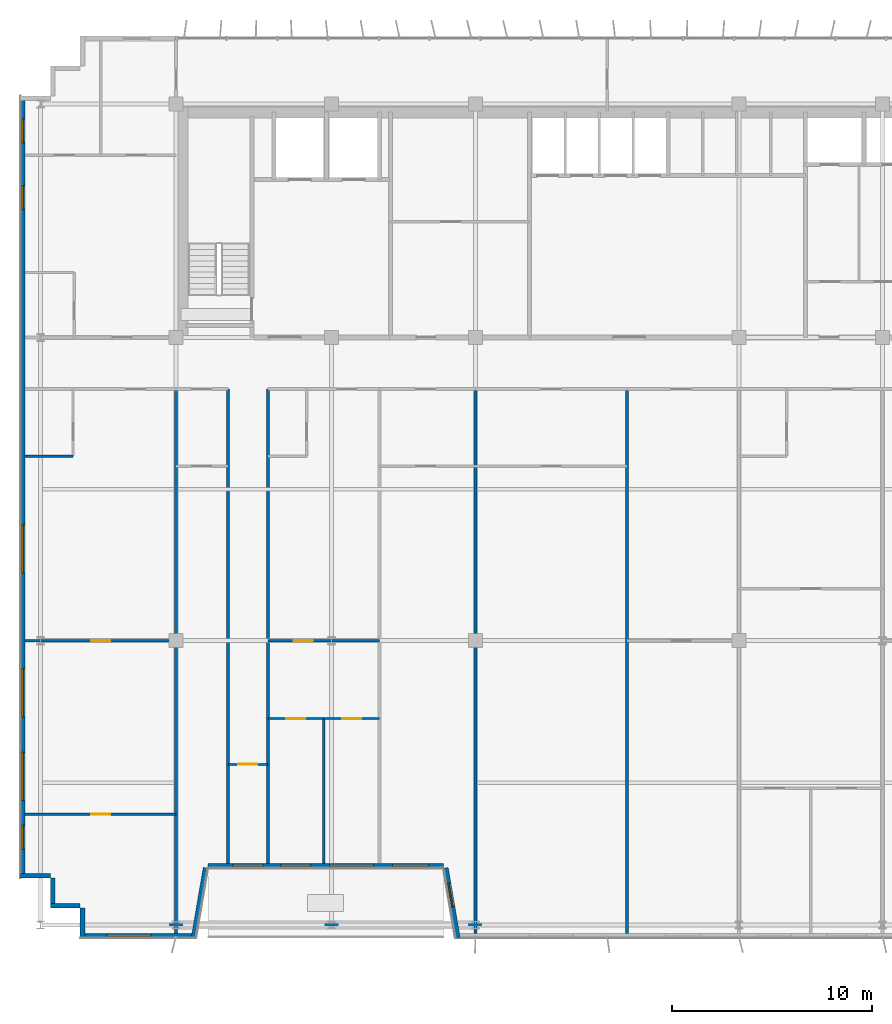
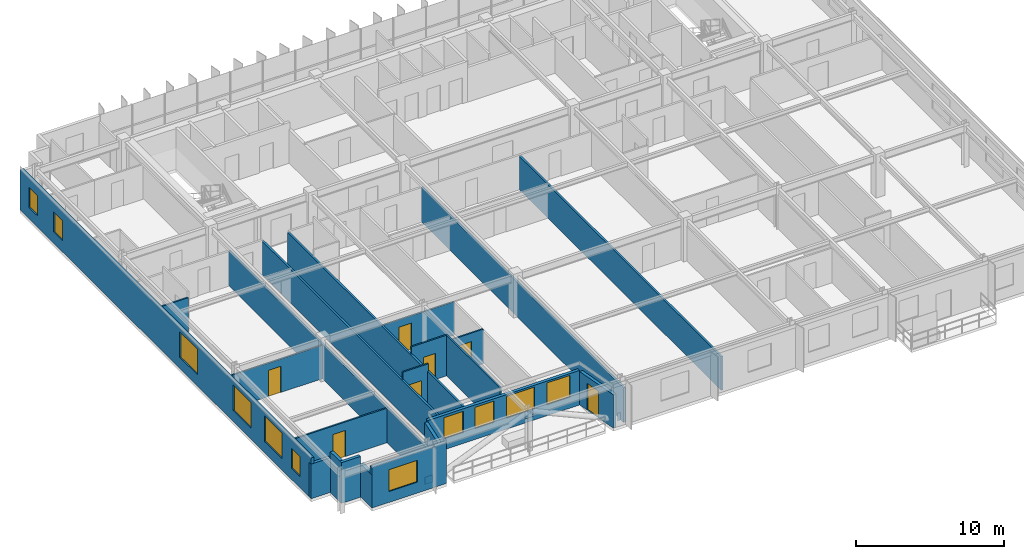
# One storey, part 14 of 20: 22 walls, 11 windows, 7 doors, 3 plates, 18 openings.
"""IFC4 building model written with IfcOpenShell, lengths in metres."""

from ifc_helpers import new_model, si_unit, direction, frame, frame_2d, origin, origin_2d, place, context, subcontext, project, spatial, rectangle, extrude, source, transform, mapped, material, layer, layer_set, type_object, element, fill, save


model = new_model("IFC4")

# Units and contexts
model_context = context("Model", 3, precision=1e-05, world=origin(), true_north=direction((0.0, 1.0)))
body_context = subcontext(model_context, "Body", "Model", "MODEL_VIEW")
ifc_project = project(units=[si_unit("LENGTHUNIT", "METRE"), si_unit("AREAUNIT", "SQUARE_METRE"), si_unit("VOLUMEUNIT", "CUBIC_METRE"), si_unit("PLANEANGLEUNIT", "RADIAN"), si_unit("MASSUNIT", "GRAM", prefix="KILO")], contexts=[model_context])

# Site, building, storey
site_placement = place(None, origin())
site = spatial("IfcSite", under=ifc_project, at=site_placement, CompositionType="ELEMENT")
building_placement = place(site_placement, origin())
building = spatial("IfcBuilding", under=site, at=building_placement, Name="Trelvane Seafront Commons", CompositionType="ELEMENT")
storey_placement = place(building_placement, frame((0.0, 0.0, 171.699951171875)))
storey = spatial("IfcBuildingStorey", under=building, at=storey_placement, Name="L45", CompositionType="ELEMENT", Elevation=171.699951171875)

# Plates
ifc_material_1 = material(Name="Steel SM355 (S355)", Category="steel")
ifc_layer_1 = layer(ifc_material_1, 0.031982421875, Name="STR-PLT-GUS2")
ifc_layer_set_1 = layer_set([ifc_layer_1], Name="Steel SM355 (S355)")
plate_type = type_object("IfcPlateType", Name="STR-PLT-GUS2", PredefinedType="SHEET", material=ifc_layer_set_1)
shared_shape_1 = source(origin(), body_context, "Body", "SweptSolid", [
    extrude(rectangle(XDim=0.60009765625, YDim=0.031982421875, at=origin_2d()), origin(), (0.0, 0.0, 1.0), 0.60009765625),
])
for number, where, z_axis, x_axis, name in (
    (1, (15.60009765625, 3.949951171875, -0.02001953125), (0.0, 0.0, 1.0), (1.0, 0.0, 0.0), "L45 Brace Connection Gusset Plate GP-180"),
    (2, (23.39990234375, 3.949951171875, 2.64990234375), (0.0, 0.0, 1.0), (1.0, 0.0, 0.0), "L45 Brace Connection Gusset Plate GP-181"),
    (3, (30.60009765625, 3.949951171875, -0.02001953125), (0.0, 0.0, 1.0), (1.0, 0.0, 0.0), "L45 Brace Connection Gusset Plate GP-182"),
):
    element("IfcPlate", number, at=place(storey_placement, frame(where, z_axis=z_axis, x_axis=x_axis)), inside=storey, type_object=plate_type, Name=name, PredefinedType="SHEET", context=body_context, shape_type="MappedRepresentation", body=[
        mapped(shared_shape_1, transform((0.0, 0.0, 0.0), x_axis=(1.0, 0.0, 0.0), y_axis=(0.0, 1.0, 0.0), z_axis=(0.0, 0.0, 1.0), scale=1.0)),
    ])

# Walls
ifc_material_2 = material(Name="Precast concrete C40/50", Category="concrete")
ifc_layer_2 = layer(ifc_material_2, 0.239990234375, Name="ARCH-WALL-EXT240")
ifc_layer_set_2 = layer_set([ifc_layer_2], Name="Precast concrete C40/50")
wall_type_1 = type_object("IfcWallType", Name="ARCH-WALL-EXT240", PredefinedType="SOLIDWALL", material=ifc_layer_set_2)
for number, where, z_axis, x_axis, name in (
    (4, (10.800048828125, 4.919921875, 0.0), (0.0, 0.0, 1.0), (-1.0, 0.0, 0.0), "EW-L45-00886"),
    (5, (9.419921875, 4.800048828125, 0.0), (0.0, 0.0, 1.0), (0.0, 1.0, 0.0), "EW-L45-00887"),
):
    element("IfcWall", number, at=place(storey_placement, frame(where, z_axis=z_axis, x_axis=x_axis)), inside=storey, type_object=wall_type_1, Name=name, PredefinedType="SOLIDWALL", context=body_context, shape_type="SweptSolid", body=[
        extrude(rectangle(XDim=1.5, YDim=0.239990234375, at=frame_2d((0.75, 0.0))), origin(), (0.0, 0.0, 1.0), 3.35009765625),
    ])
wall_1_placement = place(storey_placement, frame((9.300048828125, 6.419921875, 0.0), z_axis=(0.0, 0.0, 1.0), x_axis=(-1.0, 0.0, 0.0)))
element("IfcWall", 6, at=wall_1_placement, inside=storey, type_object=wall_type_1, Name="EW-L45-00888", PredefinedType="SOLIDWALL", context=body_context, shape_type="SweptSolid", body=[
    extrude(rectangle(XDim=1.5, YDim=0.239990234375, at=frame_2d((0.75, 0.0))), origin(), (0.0, 0.0, 1.0), 2.85009765625),
])

# Wall, openings, windows
wall_2_placement = place(storey_placement, frame((7.919921875, 6.300048828125, 0.0), z_axis=(0.0, 0.0, 1.0), x_axis=(0.0, 1.0, 0.0)))
wall_2 = element("IfcWall", 7, at=wall_2_placement, inside=storey, type_object=wall_type_1, Name="EW-L45-00889", PredefinedType="SOLIDWALL", context=body_context, shape_type="SweptSolid", body=[
    extrude(rectangle(XDim=39.199951171875, YDim=0.239990234375, at=frame_2d((19.60009765625, 0.0))), origin(), (0.0, 0.0, 1.0), 3.35009765625),
])
opening_1_placement = place(wall_2_placement, frame((1.449951171875, 0.0, 0.919921875)))
opening_1 = element("IfcOpeningElement", 8, at=opening_1_placement, cuts=wall_2, Name="Opening W05", PredefinedType="OPENING", context=body_context, shape_type="SweptSolid", body=[
    extrude(rectangle(XDim=1.199951171875, YDim=1.64990234375, at=frame_2d((0.60009765625, 0.824951171875))), frame((0.0, 0.1298828125, 0.0), z_axis=(0.0, -1.0, 0.0), x_axis=(1.0, 0.0, 0.0)), (0.0, 0.0, 1.0), 0.260009765625),
])
opening_2_placement = place(wall_2_placement, frame((3.89990234375, 0.0, 0.919921875)))
opening_2 = element("IfcOpeningElement", 9, at=opening_2_placement, cuts=wall_2, Name="Opening W08", PredefinedType="OPENING", context=body_context, shape_type="SweptSolid", body=[
    extrude(rectangle(XDim=2.39990234375, YDim=2.10009765625, at=frame_2d((1.199951171875, 1.050048828125))), frame((0.0, 0.1298828125, 0.0), z_axis=(0.0, -1.0, 0.0), x_axis=(1.0, 0.0, 0.0)), (0.0, 0.0, 1.0), 0.260009765625),
])
opening_3_placement = place(wall_2_placement, frame((8.10009765625, 0.0, 0.919921875)))
opening_3 = element("IfcOpeningElement", 10, at=opening_3_placement, cuts=wall_2, Name="Opening W08", PredefinedType="OPENING", context=body_context, shape_type="SweptSolid", body=[
    extrude(rectangle(XDim=2.39990234375, YDim=2.10009765625, at=frame_2d((1.199951171875, 1.050048828125))), frame((0.0, 0.1298828125, 0.0), z_axis=(0.0, -1.0, 0.0), x_axis=(1.0, 0.0, 0.0)), (0.0, 0.0, 1.0), 0.260009765625),
])
opening_4_placement = place(wall_2_placement, frame((15.300048828125, 0.0, 0.919921875)))
opening_4 = element("IfcOpeningElement", 11, at=opening_4_placement, cuts=wall_2, Name="Opening W08", PredefinedType="OPENING", context=body_context, shape_type="SweptSolid", body=[
    extrude(rectangle(XDim=2.39990234375, YDim=2.10009765625, at=frame_2d((1.199951171875, 1.050048828125))), frame((0.0, 0.1298828125, 0.0), z_axis=(0.0, -1.0, 0.0), x_axis=(1.0, 0.0, 0.0)), (0.0, 0.0, 1.0), 0.260009765625),
])
opening_5_placement = place(wall_2_placement, frame((33.5, 0.0, 0.919921875)))
opening_5 = element("IfcOpeningElement", 12, at=opening_5_placement, cuts=wall_2, Name="Opening W05", PredefinedType="OPENING", context=body_context, shape_type="SweptSolid", body=[
    extrude(rectangle(XDim=1.199951171875, YDim=1.64990234375, at=frame_2d((0.60009765625, 0.824951171875))), frame((0.0, 0.1298828125, 0.0), z_axis=(0.0, -1.0, 0.0), x_axis=(1.0, 0.0, 0.0)), (0.0, 0.0, 1.0), 0.260009765625),
])
opening_6_placement = place(wall_2_placement, frame((36.85009765625, 0.0, 0.919921875)))
opening_6 = element("IfcOpeningElement", 13, at=opening_6_placement, cuts=wall_2, Name="Opening W05", PredefinedType="OPENING", context=body_context, shape_type="SweptSolid", body=[
    extrude(rectangle(XDim=1.199951171875, YDim=1.64990234375, at=frame_2d((0.60009765625, 0.824951171875))), frame((0.0, 0.1298828125, 0.0), z_axis=(0.0, -1.0, 0.0), x_axis=(1.0, 0.0, 0.0)), (0.0, 0.0, 1.0), 0.260009765625),
])
ifc_material_3 = material(Name="Low-E coastal double glazing", Category="glass")
window_type_1 = type_object("IfcWindowType", Name="ARCH-WIN-W08", PartitioningType="SINGLE_PANEL", PredefinedType="WINDOW", material=ifc_material_3)
shared_shape_2 = source(origin(), body_context, "Body", "SweptSolid", [
    extrude(rectangle(XDim=2.39990234375, YDim=2.10009765625, at=frame_2d((1.199951171875, 1.050048828125))), frame((0.0, 0.030029296875, 0.0), z_axis=(0.0, -1.0, 0.0), x_axis=(1.0, 0.0, 0.0)), (0.0, 0.0, 1.0), 0.06005859375),
])
window_1_placement = place(opening_2_placement, origin())
window_1 = element("IfcWindow", 14, at=window_1_placement, inside=storey, type_object=window_type_1, Name="WIN-L45-EW-01067", OverallHeight=2.10009765625, OverallWidth=2.39990234375, PartitioningType="SINGLE_PANEL", PredefinedType="WINDOW", context=body_context, shape_type="MappedRepresentation", body=[
    mapped(shared_shape_2, transform((0.0, 0.0, 0.0), x_axis=(1.0, 0.0, 0.0), y_axis=(0.0, 1.0, 0.0), z_axis=(0.0, 0.0, 1.0), scale=1.0)),
])
fill(opening_2, window_1)
window_2_placement = place(opening_3_placement, origin())
window_2 = element("IfcWindow", 15, at=window_2_placement, inside=storey, type_object=window_type_1, Name="WIN-L45-EW-01068", OverallHeight=2.10009765625, OverallWidth=2.39990234375, PartitioningType="SINGLE_PANEL", PredefinedType="WINDOW", context=body_context, shape_type="MappedRepresentation", body=[
    mapped(shared_shape_2, transform((0.0, 0.0, 0.0), x_axis=(1.0, 0.0, 0.0), y_axis=(0.0, 1.0, 0.0), z_axis=(0.0, 0.0, 1.0), scale=1.0)),
])
fill(opening_3, window_2)
window_3_placement = place(opening_4_placement, origin())
window_3 = element("IfcWindow", 16, at=window_3_placement, inside=storey, type_object=window_type_1, Name="WIN-L45-EW-01069", OverallHeight=2.10009765625, OverallWidth=2.39990234375, PartitioningType="SINGLE_PANEL", PredefinedType="WINDOW", context=body_context, shape_type="MappedRepresentation", body=[
    mapped(shared_shape_2, transform((0.0, 0.0, 0.0), x_axis=(1.0, 0.0, 0.0), y_axis=(0.0, 1.0, 0.0), z_axis=(0.0, 0.0, 1.0), scale=1.0)),
])
fill(opening_4, window_3)
window_type_2 = type_object("IfcWindowType", Name="ARCH-WIN-W05", PartitioningType="SINGLE_PANEL", PredefinedType="WINDOW", material=ifc_material_3)
shared_shape_3 = source(origin(), body_context, "Body", "SweptSolid", [
    extrude(rectangle(XDim=1.199951171875, YDim=1.64990234375, at=frame_2d((0.60009765625, 0.824951171875))), frame((0.0, 0.030029296875, 0.0), z_axis=(0.0, -1.0, 0.0), x_axis=(1.0, 0.0, 0.0)), (0.0, 0.0, 1.0), 0.06005859375),
])
window_4_placement = place(opening_1_placement, origin())
window_4 = element("IfcWindow", 17, at=window_4_placement, inside=storey, type_object=window_type_2, Name="WIN-L45-EW-01066", OverallHeight=1.64990234375, OverallWidth=1.199951171875, PartitioningType="SINGLE_PANEL", PredefinedType="WINDOW", context=body_context, shape_type="MappedRepresentation", body=[
    mapped(shared_shape_3, transform((0.0, 0.0, 0.0), x_axis=(1.0, 0.0, 0.0), y_axis=(0.0, 1.0, 0.0), z_axis=(0.0, 0.0, 1.0), scale=1.0)),
])
fill(opening_1, window_4)
window_5_placement = place(opening_5_placement, origin())
window_5 = element("IfcWindow", 18, at=window_5_placement, inside=storey, type_object=window_type_2, Name="WIN-L45-EW-01070", OverallHeight=1.64990234375, OverallWidth=1.199951171875, PartitioningType="SINGLE_PANEL", PredefinedType="WINDOW", context=body_context, shape_type="MappedRepresentation", body=[
    mapped(shared_shape_3, transform((0.0, 0.0, 0.0), x_axis=(1.0, 0.0, 0.0), y_axis=(0.0, 1.0, 0.0), z_axis=(0.0, 0.0, 1.0), scale=1.0)),
])
fill(opening_5, window_5)
window_6_placement = place(opening_6_placement, origin())
window_6 = element("IfcWindow", 19, at=window_6_placement, inside=storey, type_object=window_type_2, Name="WIN-L45-EW-01071", OverallHeight=1.64990234375, OverallWidth=1.199951171875, PartitioningType="SINGLE_PANEL", PredefinedType="WINDOW", context=body_context, shape_type="MappedRepresentation", body=[
    mapped(shared_shape_3, transform((0.0, 0.0, 0.0), x_axis=(1.0, 0.0, 0.0), y_axis=(0.0, 1.0, 0.0), z_axis=(0.0, 0.0, 1.0), scale=1.0)),
])
fill(opening_6, window_6)

# Wall, opening, door
wall_3_placement = place(storey_placement, frame((29.71826171875, 3.3203125, 0.0), z_axis=(0.0, 0.0, 1.0), x_axis=(-0.168923741424, 0.98562912375, 0.0)))
wall_3 = element("IfcWall", 20, at=wall_3_placement, inside=storey, type_object=wall_type_1, Name="EW-L45-00904", PredefinedType="SOLIDWALL", context=body_context, shape_type="SweptSolid", body=[
    extrude(rectangle(XDim=3.551025390625, YDim=0.239990234375, at=frame_2d((1.775390625, 0.0))), origin(), (0.0, 0.0, 1.0), 2.75),
])
opening_7_placement = place(wall_3_placement, frame((1.572998046875, 0.0, 0.0)))
opening_7 = element("IfcOpeningElement", 21, at=opening_7_placement, cuts=wall_3, Name="Opening TD-L45-104", PredefinedType="OPENING", context=body_context, shape_type="SweptSolid", body=[
    extrude(rectangle(XDim=1.199951171875, YDim=2.199951171875, at=frame_2d((0.60009765625, 1.10009765625))), frame((0.0, 0.1298828125, 0.0), z_axis=(0.0, -1.0, 0.0), x_axis=(1.0, 0.0, 0.0)), (0.0, 0.0, 1.0), 0.260009765625),
])
ifc_material_4 = material(Name="Powder-coated aluminium frame", Category="aluminium")
door_type_1 = type_object("IfcDoorType", Name="ARCH-DR-BAL1200", OperationType="NOTDEFINED", PredefinedType="DOOR", material=ifc_material_4)
shared_shape_4 = source(origin(), body_context, "Body", "SweptSolid", [
    extrude(rectangle(XDim=1.199951171875, YDim=2.199951171875, at=frame_2d((0.60009765625, 1.10009765625))), frame((0.0, 0.02490234375, 0.0), z_axis=(0.0, -1.0, 0.0), x_axis=(1.0, 0.0, 0.0)), (0.0, 0.0, 1.0), 0.050048828125),
])
door_1_placement = place(opening_7_placement, origin())
door_1 = element("IfcDoor", 22, at=door_1_placement, inside=storey, type_object=door_type_1, Name="L45 Setback Terrace Access Door", OperationType="SINGLE_SWING_RIGHT", OverallHeight=2.199951171875, OverallWidth=1.199951171875, PredefinedType="DOOR", context=body_context, shape_type="MappedRepresentation", body=[
    mapped(shared_shape_4, transform((0.0, 0.0, 0.0), x_axis=(1.0, 0.0, 0.0), y_axis=(0.0, 1.0, 0.0), z_axis=(0.0, 0.0, 1.0), scale=1.0)),
])
fill(opening_7, door_1)

# Wall, openings, windows
wall_4_placement = place(storey_placement, frame((29.0, 6.919921875, 0.0), z_axis=(0.0, 0.0, 1.0), x_axis=(-1.0, 0.0, 0.0)))
wall_4 = element("IfcWall", 23, at=wall_4_placement, inside=storey, type_object=wall_type_1, Name="EW-L45-00905", PredefinedType="SOLIDWALL", context=body_context, shape_type="SweptSolid", body=[
    extrude(rectangle(XDim=11.800048828125, YDim=0.239990234375, at=frame_2d((5.89990234375, 0.0))), origin(), (0.0, 0.0, 1.0), 2.85009765625),
])
opening_8_placement = place(wall_4_placement, frame((0.7451171875, 0.0, 0.89990234375)))
opening_8 = element("IfcOpeningElement", 24, at=opening_8_placement, cuts=wall_4, Name="Opening W01", PredefinedType="OPENING", context=body_context, shape_type="SweptSolid", body=[
    extrude(rectangle(XDim=1.800048828125, YDim=1.800048828125, at=frame_2d((0.89990234375, 0.89990234375))), frame((0.0, 0.1298828125, 0.0), z_axis=(0.0, -1.0, 0.0), x_axis=(1.0, 0.0, 0.0)), (0.0, 0.0, 1.0), 0.260009765625),
])
opening_9_placement = place(wall_4_placement, frame((3.5, 0.0, 0.89990234375)))
opening_9 = element("IfcOpeningElement", 25, at=opening_9_placement, cuts=wall_4, Name="Opening W02", PredefinedType="OPENING", context=body_context, shape_type="SweptSolid", body=[
    extrude(rectangle(XDim=2.199951171875, YDim=1.800048828125, at=frame_2d((1.10009765625, 0.89990234375))), frame((0.0, 0.1298828125, 0.0), z_axis=(0.0, -1.0, 0.0), x_axis=(1.0, 0.0, 0.0)), (0.0, 0.0, 1.0), 0.260009765625),
])
opening_10_placement = place(wall_4_placement, frame((6.64990234375, 0.0, 0.89990234375)))
opening_10 = element("IfcOpeningElement", 26, at=opening_10_placement, cuts=wall_4, Name="Opening W03", PredefinedType="OPENING", context=body_context, shape_type="SweptSolid", body=[
    extrude(rectangle(XDim=1.5, YDim=1.75, at=frame_2d((0.75, 0.875))), frame((0.0, 0.1298828125, 0.0), z_axis=(0.0, -1.0, 0.0), x_axis=(1.0, 0.0, 0.0)), (0.0, 0.0, 1.0), 0.260009765625),
])
opening_11_placement = place(wall_4_placement, frame((9.050048828125, 0.0, 0.89990234375)))
opening_11 = element("IfcOpeningElement", 27, at=opening_11_placement, cuts=wall_4, Name="Opening W03", PredefinedType="OPENING", context=body_context, shape_type="SweptSolid", body=[
    extrude(rectangle(XDim=1.5, YDim=1.75, at=frame_2d((0.75, 0.875))), frame((0.0, 0.1298828125, 0.0), z_axis=(0.0, -1.0, 0.0), x_axis=(1.0, 0.0, 0.0)), (0.0, 0.0, 1.0), 0.260009765625),
])
window_type_3 = type_object("IfcWindowType", Name="ARCH-WIN-W02", PartitioningType="SINGLE_PANEL", PredefinedType="WINDOW", material=ifc_material_3)
shared_shape_5 = source(origin(), body_context, "Body", "SweptSolid", [
    extrude(rectangle(XDim=2.199951171875, YDim=1.800048828125, at=frame_2d((1.10009765625, 0.89990234375))), frame((0.0, 0.030029296875, 0.0), z_axis=(0.0, -1.0, 0.0), x_axis=(1.0, 0.0, 0.0)), (0.0, 0.0, 1.0), 0.06005859375),
])
window_7_placement = place(opening_9_placement, origin())
window_7 = element("IfcWindow", 28, at=window_7_placement, inside=storey, type_object=window_type_3, Name="WIN-L45-01086", OverallHeight=1.800048828125, OverallWidth=2.199951171875, PartitioningType="SINGLE_PANEL", PredefinedType="WINDOW", context=body_context, shape_type="MappedRepresentation", body=[
    mapped(shared_shape_5, transform((0.0, 0.0, 0.0), x_axis=(1.0, 0.0, 0.0), y_axis=(0.0, 1.0, 0.0), z_axis=(0.0, 0.0, 1.0), scale=1.0)),
])
fill(opening_9, window_7)
window_type_4 = type_object("IfcWindowType", Name="ARCH-WIN-W03", PartitioningType="SINGLE_PANEL", PredefinedType="WINDOW", material=ifc_material_3)
shared_shape_6 = source(origin(), body_context, "Body", "SweptSolid", [
    extrude(rectangle(XDim=1.5, YDim=1.75, at=frame_2d((0.75, 0.875))), frame((0.0, 0.030029296875, 0.0), z_axis=(0.0, -1.0, 0.0), x_axis=(1.0, 0.0, 0.0)), (0.0, 0.0, 1.0), 0.06005859375),
])
window_8_placement = place(opening_10_placement, origin())
window_8 = element("IfcWindow", 29, at=window_8_placement, inside=storey, type_object=window_type_4, Name="WIN-L45-01087", OverallHeight=1.75, OverallWidth=1.5, PartitioningType="SINGLE_PANEL", PredefinedType="WINDOW", context=body_context, shape_type="MappedRepresentation", body=[
    mapped(shared_shape_6, transform((0.0, 0.0, 0.0), x_axis=(1.0, 0.0, 0.0), y_axis=(0.0, 1.0, 0.0), z_axis=(0.0, 0.0, 1.0), scale=1.0)),
])
fill(opening_10, window_8)
window_9_placement = place(opening_11_placement, origin())
window_9 = element("IfcWindow", 30, at=window_9_placement, inside=storey, type_object=window_type_4, Name="WIN-L45-01088", OverallHeight=1.75, OverallWidth=1.5, PartitioningType="SINGLE_PANEL", PredefinedType="WINDOW", context=body_context, shape_type="MappedRepresentation", body=[
    mapped(shared_shape_6, transform((0.0, 0.0, 0.0), x_axis=(1.0, 0.0, 0.0), y_axis=(0.0, 1.0, 0.0), z_axis=(0.0, 0.0, 1.0), scale=1.0)),
])
fill(opening_11, window_9)
window_type_5 = type_object("IfcWindowType", Name="ARCH-WIN-W01", PartitioningType="SINGLE_PANEL", PredefinedType="WINDOW", material=ifc_material_3)
shared_shape_7 = source(origin(), body_context, "Body", "SweptSolid", [
    extrude(rectangle(XDim=1.800048828125, YDim=1.800048828125, at=frame_2d((0.89990234375, 0.89990234375))), frame((0.0, 0.030029296875, 0.0), z_axis=(0.0, -1.0, 0.0), x_axis=(1.0, 0.0, 0.0)), (0.0, 0.0, 1.0), 0.06005859375),
])
window_10_placement = place(opening_8_placement, origin())
window_10 = element("IfcWindow", 31, at=window_10_placement, inside=storey, type_object=window_type_5, Name="WIN-L45-01085", OverallHeight=1.800048828125, OverallWidth=1.800048828125, PartitioningType="SINGLE_PANEL", PredefinedType="WINDOW", context=body_context, shape_type="MappedRepresentation", body=[
    mapped(shared_shape_7, transform((0.0, 0.0, 0.0), x_axis=(1.0, 0.0, 0.0), y_axis=(0.0, 1.0, 0.0), z_axis=(0.0, 0.0, 1.0), scale=1.0)),
])
fill(opening_8, window_10)

# Wall
wall_5_placement = place(storey_placement, frame((17.081787109375, 6.8203125, 0.0), z_axis=(0.0, 0.0, 1.0), x_axis=(-0.168990530437, -0.98561767467, 0.0)))
element("IfcWall", 32, at=wall_5_placement, inside=storey, type_object=wall_type_1, Name="EW-L45-00906", PredefinedType="SOLIDWALL", context=body_context, shape_type="SweptSolid", body=[
    extrude(rectangle(XDim=3.551025390625, YDim=0.239990234375, at=frame_2d((1.775390625, 0.0))), origin(), (0.0, 0.0, 1.0), 2.75),
])

# Wall, opening, window
wall_6_placement = place(storey_placement, frame((16.60009765625, 3.419921875, 0.0), z_axis=(0.0, 0.0, 1.0), x_axis=(-1.0, 0.0, 0.0)))
wall_6 = element("IfcWall", 33, at=wall_6_placement, inside=storey, type_object=wall_type_1, Name="EW-L45-00907", PredefinedType="SOLIDWALL", context=body_context, shape_type="SweptSolid", body=[
    extrude(rectangle(XDim=5.800048828125, YDim=0.239990234375, at=frame_2d((2.89990234375, 0.0))), origin(), (0.0, 0.0, 1.0), 3.35009765625),
])
opening_12_placement = place(wall_6_placement, frame((2.2548828125, 0.0, 0.89990234375)))
opening_12 = element("IfcOpeningElement", 34, at=opening_12_placement, cuts=wall_6, Name="Opening W02", PredefinedType="OPENING", context=body_context, shape_type="SweptSolid", body=[
    extrude(rectangle(XDim=2.199951171875, YDim=1.800048828125, at=frame_2d((1.10009765625, 0.89990234375))), frame((0.0, 0.1298828125, 0.0), z_axis=(0.0, -1.0, 0.0), x_axis=(1.0, 0.0, 0.0)), (0.0, 0.0, 1.0), 0.260009765625),
])
window_11_placement = place(opening_12_placement, origin())
window_11 = element("IfcWindow", 35, at=window_11_placement, inside=storey, type_object=window_type_3, Name="WIN-L45-01089", OverallHeight=1.800048828125, OverallWidth=2.199951171875, PartitioningType="SINGLE_PANEL", PredefinedType="WINDOW", context=body_context, shape_type="MappedRepresentation", body=[
    mapped(shared_shape_5, transform((0.0, 0.0, 0.0), x_axis=(1.0, 0.0, 0.0), y_axis=(0.0, 1.0, 0.0), z_axis=(0.0, 0.0, 1.0), scale=1.0)),
])
fill(opening_12, window_11)

# Wall
wall_7_placement = place(storey_placement, frame((10.919921875, 3.300048828125, 0.0), z_axis=(0.0, 0.0, 1.0), x_axis=(0.0, 1.0, 0.0)))
element("IfcWall", 36, at=wall_7_placement, inside=storey, type_object=wall_type_1, Name="EW-L45-00908", PredefinedType="SOLIDWALL", context=body_context, shape_type="SweptSolid", body=[
    extrude(rectangle(XDim=1.5, YDim=0.239990234375, at=frame_2d((0.75, 0.0))), origin(), (0.0, 0.0, 1.0), 2.75),
])

# Wall, opening, door
ifc_material_5 = material(Name="Gypsum Drywall Acoustic Partition")
ifc_layer_3 = layer(ifc_material_5, 0.1201171875, Name="ARCH-WALL-PART120")
ifc_layer_set_3 = layer_set([ifc_layer_3], Name="Gypsum Drywall Acoustic Partition")
wall_type_2 = type_object("IfcWallType", Name="ARCH-WALL-PART120", PredefinedType="PARTITIONING", material=ifc_layer_set_3)
wall_8_placement = place(storey_placement, frame((8.0400390625, 18.199951171875, 0.0), z_axis=(0.0, 0.0, 1.0), x_axis=(1.0, 0.0, 0.0)))
wall_8 = element("IfcWall", 37, at=wall_8_placement, inside=storey, type_object=wall_type_2, Name="W-L45-U1-KL-052", PredefinedType="PARTITIONING", context=body_context, shape_type="SweptSolid", body=[
    extrude(rectangle(XDim=7.56005859375, YDim=0.1201171875, at=frame_2d((3.780029296875, 0.0))), origin(), (0.0, 0.0, 1.0), 2.75),
])
opening_13_placement = place(wall_8_placement, frame((3.304931640625, 0.0, 0.0)))
opening_13 = element("IfcOpeningElement", 38, at=opening_13_placement, cuts=wall_8, Name="Opening D-L45-28", PredefinedType="OPENING", context=body_context, shape_type="SweptSolid", body=[
    extrude(rectangle(XDim=0.949951171875, YDim=2.14990234375, at=frame_2d((0.47509765625, 1.074951171875))), frame((0.0, 0.070068359375, 0.0), z_axis=(0.0, -1.0, 0.0), x_axis=(1.0, 0.0, 0.0)), (0.0, 0.0, 1.0), 0.14013671875),
])
ifc_material_6 = material(Name="Acoustic timber door leaf", Category="wood")
door_type_2 = type_object("IfcDoorType", Name="ARCH-DR-INT950", OperationType="NOTDEFINED", PredefinedType="DOOR", material=ifc_material_6)
shared_shape_8 = source(origin(), body_context, "Body", "SweptSolid", [
    extrude(rectangle(XDim=0.949951171875, YDim=2.14990234375, at=frame_2d((0.47509765625, 1.074951171875))), frame((0.0, 0.02490234375, 0.0), z_axis=(0.0, -1.0, 0.0), x_axis=(1.0, 0.0, 0.0)), (0.0, 0.0, 1.0), 0.050048828125),
])
door_2_placement = place(opening_13_placement, origin())
door_2 = element("IfcDoor", 39, at=door_2_placement, inside=storey, type_object=door_type_2, Name="L45 Door 28", OperationType="SINGLE_SWING_RIGHT", OverallHeight=2.14990234375, OverallWidth=0.949951171875, PredefinedType="DOOR", context=body_context, shape_type="MappedRepresentation", body=[
    mapped(shared_shape_8, transform((0.0, 0.0, 0.0), x_axis=(1.0, 0.0, 0.0), y_axis=(0.0, 1.0, 0.0), z_axis=(0.0, 0.0, 1.0), scale=1.0)),
])
fill(opening_13, door_2)

# Wall
wall_9_placement = place(storey_placement, frame((8.0400390625, 27.449951171875, 0.0), z_axis=(0.0, 0.0, 1.0), x_axis=(1.0, 0.0, 0.0)))
element("IfcWall", 40, at=wall_9_placement, inside=storey, type_object=wall_type_2, Name="W-L45-U1-BS-054", PredefinedType="PARTITIONING", context=body_context, shape_type="SweptSolid", body=[
    extrude(rectangle(XDim=2.39990234375, YDim=0.1201171875, at=frame_2d((1.199951171875, 0.0))), origin(), (0.0, 0.0, 1.0), 2.85009765625),
])

# Wall, opening, door
wall_10_placement = place(storey_placement, frame((8.0400390625, 9.5, 0.0), z_axis=(0.0, 0.0, 1.0), x_axis=(1.0, 0.0, 0.0)))
wall_10 = element("IfcWall", 41, at=wall_10_placement, inside=storey, type_object=wall_type_2, Name="W-L45-U1-YM-1-056", PredefinedType="PARTITIONING", context=body_context, shape_type="SweptSolid", body=[
    extrude(rectangle(XDim=7.56005859375, YDim=0.1201171875, at=frame_2d((3.780029296875, 0.0))), origin(), (0.0, 0.0, 1.0), 2.85009765625),
])
opening_14_placement = place(wall_10_placement, frame((3.304931640625, 0.0, 0.0)))
opening_14 = element("IfcOpeningElement", 42, at=opening_14_placement, cuts=wall_10, Name="Opening D-L45-31", PredefinedType="OPENING", context=body_context, shape_type="SweptSolid", body=[
    extrude(rectangle(XDim=0.949951171875, YDim=2.14990234375, at=frame_2d((0.47509765625, 1.074951171875))), frame((0.0, 0.070068359375, 0.0), z_axis=(0.0, -1.0, 0.0), x_axis=(1.0, 0.0, 0.0)), (0.0, 0.0, 1.0), 0.14013671875),
])
door_3_placement = place(opening_14_placement, origin())
door_3 = element("IfcDoor", 43, at=door_3_placement, inside=storey, type_object=door_type_2, Name="L45 Door 31", OperationType="SINGLE_SWING_LEFT", OverallHeight=2.14990234375, OverallWidth=0.949951171875, PredefinedType="DOOR", context=body_context, shape_type="MappedRepresentation", body=[
    mapped(shared_shape_8, transform((0.0, 0.0, 0.0), x_axis=(1.0, 0.0, 0.0), y_axis=(0.0, 1.0, 0.0), z_axis=(0.0, 0.0, 1.0), scale=1.0)),
])
fill(opening_14, door_3)

wall_11_placement = place(storey_placement, frame((18.199951171875, 12.0, 0.0), z_axis=(0.0, 0.0, 1.0), x_axis=(1.0, 0.0, 0.0)))
wall_11 = element("IfcWall", 44, at=wall_11_placement, inside=storey, type_object=wall_type_2, Name="W-L45-ARM-END-3-061", PredefinedType="PARTITIONING", context=body_context, shape_type="SweptSolid", body=[
    extrude(rectangle(XDim=2.0, YDim=0.1201171875, at=frame_2d((1.0, 0.0))), origin(), (0.0, 0.0, 1.0), 3.35009765625),
])
opening_15_placement = place(wall_11_placement, frame((0.52001953125, 0.0, 0.0)))
opening_15 = element("IfcOpeningElement", 45, at=opening_15_placement, cuts=wall_11, Name="Opening D-L45-34", PredefinedType="OPENING", context=body_context, shape_type="SweptSolid", body=[
    extrude(rectangle(XDim=0.949951171875, YDim=2.14990234375, at=frame_2d((0.47509765625, 1.074951171875))), frame((0.0, 0.070068359375, 0.0), z_axis=(0.0, -1.0, 0.0), x_axis=(1.0, 0.0, 0.0)), (0.0, 0.0, 1.0), 0.14013671875),
])
door_4_placement = place(opening_15_placement, origin())
door_4 = element("IfcDoor", 46, at=door_4_placement, inside=storey, type_object=door_type_2, Name="L45 Door 34", OperationType="SINGLE_SWING_RIGHT", OverallHeight=2.14990234375, OverallWidth=0.949951171875, PredefinedType="DOOR", context=body_context, shape_type="MappedRepresentation", body=[
    mapped(shared_shape_8, transform((0.0, 0.0, 0.0), x_axis=(1.0, 0.0, 0.0), y_axis=(0.0, 1.0, 0.0), z_axis=(0.0, 0.0, 1.0), scale=1.0)),
])
fill(opening_15, door_4)

wall_12_placement = place(storey_placement, frame((20.199951171875, 18.199951171875, 0.0), z_axis=(0.0, 0.0, 1.0), x_axis=(1.0, 0.0, 0.0)))
wall_12 = element("IfcWall", 47, at=wall_12_placement, inside=storey, type_object=wall_type_2, Name="W-L45-U4-KL-062", PredefinedType="PARTITIONING", context=body_context, shape_type="SweptSolid", body=[
    extrude(rectangle(XDim=5.60009765625, YDim=0.1201171875, at=frame_2d((2.800048828125, 0.0))), origin(), (0.0, 0.0, 1.0), 2.75),
])
opening_16_placement = place(wall_12_placement, frame((1.305908203125, 0.0, 0.0)))
opening_16 = element("IfcOpeningElement", 48, at=opening_16_placement, cuts=wall_12, Name="Opening D-L45-35", PredefinedType="OPENING", context=body_context, shape_type="SweptSolid", body=[
    extrude(rectangle(XDim=0.949951171875, YDim=2.14990234375, at=frame_2d((0.47509765625, 1.074951171875))), frame((0.0, 0.070068359375, 0.0), z_axis=(0.0, -1.0, 0.0), x_axis=(1.0, 0.0, 0.0)), (0.0, 0.0, 1.0), 0.14013671875),
])
door_5_placement = place(opening_16_placement, origin())
door_5 = element("IfcDoor", 49, at=door_5_placement, inside=storey, type_object=door_type_2, Name="L45 Door 35", OperationType="SINGLE_SWING_LEFT", OverallHeight=2.14990234375, OverallWidth=0.949951171875, PredefinedType="DOOR", context=body_context, shape_type="MappedRepresentation", body=[
    mapped(shared_shape_8, transform((0.0, 0.0, 0.0), x_axis=(1.0, 0.0, 0.0), y_axis=(0.0, 1.0, 0.0), z_axis=(0.0, 0.0, 1.0), scale=1.0)),
])
fill(opening_16, door_5)

wall_13_placement = place(storey_placement, frame((20.199951171875, 14.300048828125, 0.0), z_axis=(0.0, 0.0, 1.0), x_axis=(1.0, 0.0, 0.0)))
wall_13 = element("IfcWall", 50, at=wall_13_placement, inside=storey, type_object=wall_type_2, Name="W-L45-U4-YM-1-066", PredefinedType="PARTITIONING", context=body_context, shape_type="SweptSolid", body=[
    extrude(rectangle(XDim=2.800048828125, YDim=0.1201171875, at=frame_2d((1.39990234375, 0.0))), origin(), (0.0, 0.0, 1.0), 3.35009765625),
])
opening_17_placement = place(wall_13_placement, frame((0.925048828125, 0.0, 0.0)))
opening_17 = element("IfcOpeningElement", 51, at=opening_17_placement, cuts=wall_13, Name="Opening D-L45-38", PredefinedType="OPENING", context=body_context, shape_type="SweptSolid", body=[
    extrude(rectangle(XDim=0.949951171875, YDim=2.14990234375, at=frame_2d((0.47509765625, 1.074951171875))), frame((0.0, 0.070068359375, 0.0), z_axis=(0.0, -1.0, 0.0), x_axis=(1.0, 0.0, 0.0)), (0.0, 0.0, 1.0), 0.14013671875),
])
door_6_placement = place(opening_17_placement, origin())
door_6 = element("IfcDoor", 52, at=door_6_placement, inside=storey, type_object=door_type_2, Name="L45 Door 38", OperationType="SINGLE_SWING_RIGHT", OverallHeight=2.14990234375, OverallWidth=0.949951171875, PredefinedType="DOOR", context=body_context, shape_type="MappedRepresentation", body=[
    mapped(shared_shape_8, transform((0.0, 0.0, 0.0), x_axis=(1.0, 0.0, 0.0), y_axis=(0.0, 1.0, 0.0), z_axis=(0.0, 0.0, 1.0), scale=1.0)),
])
fill(opening_17, door_6)

wall_14_placement = place(storey_placement, frame((23.0, 14.300048828125, 0.0), z_axis=(0.0, 0.0, 1.0), x_axis=(1.0, 0.0, 0.0)))
wall_14 = element("IfcWall", 53, at=wall_14_placement, inside=storey, type_object=wall_type_2, Name="W-L45-U4-YM-2-067", PredefinedType="PARTITIONING", context=body_context, shape_type="SweptSolid", body=[
    extrude(rectangle(XDim=2.800048828125, YDim=0.1201171875, at=frame_2d((1.39990234375, 0.0))), origin(), (0.0, 0.0, 1.0), 2.85009765625),
])
opening_18_placement = place(wall_14_placement, frame((0.925048828125, 0.0, 0.0)))
opening_18 = element("IfcOpeningElement", 54, at=opening_18_placement, cuts=wall_14, Name="Opening D-L45-39", PredefinedType="OPENING", context=body_context, shape_type="SweptSolid", body=[
    extrude(rectangle(XDim=0.949951171875, YDim=2.14990234375, at=frame_2d((0.47509765625, 1.074951171875))), frame((0.0, 0.070068359375, 0.0), z_axis=(0.0, -1.0, 0.0), x_axis=(1.0, 0.0, 0.0)), (0.0, 0.0, 1.0), 0.14013671875),
])
door_7_placement = place(opening_18_placement, origin())
door_7 = element("IfcDoor", 55, at=door_7_placement, inside=storey, type_object=door_type_2, Name="L45 Door 39", OperationType="SINGLE_SWING_LEFT", OverallHeight=2.14990234375, OverallWidth=0.949951171875, PredefinedType="DOOR", context=body_context, shape_type="MappedRepresentation", body=[
    mapped(shared_shape_8, transform((0.0, 0.0, 0.0), x_axis=(1.0, 0.0, 0.0), y_axis=(0.0, 1.0, 0.0), z_axis=(0.0, 0.0, 1.0), scale=1.0)),
])
fill(opening_18, door_7)

# Walls
wall_15_placement = place(storey_placement, frame((23.0, 7.02490234375, 0.0), z_axis=(0.0, 0.0, 1.0), x_axis=(0.0, 1.0, 0.0)))
element("IfcWall", 56, at=wall_15_placement, inside=storey, type_object=wall_type_2, Name="W-L45-U4-BDV-1-068", PredefinedType="PARTITIONING", context=body_context, shape_type="SweptSolid", body=[
    extrude(rectangle(XDim=7.275146484375, YDim=0.1201171875, at=frame_2d((3.6376953125, 0.0))), origin(), (0.0, 0.0, 1.0), 3.35009765625),
])
ifc_layer_4 = layer(ifc_material_5, 0.14990234375, Name="ARCH-WALL-PART150")
ifc_layer_set_4 = layer_set([ifc_layer_4], Name="Gypsum Drywall Acoustic Partition")
wall_type_3 = type_object("IfcWallType", Name="ARCH-WALL-PART150", PredefinedType="PARTITIONING", material=ifc_layer_set_4)
for number, where, z_axis, x_axis, name in (
    (57, (15.60009765625, 3.52490234375, 0.0), (0.0, 0.0, 1.0), (0.0, 1.0, 0.0), "W-L45-PW-1-046"),
    (58, (30.60009765625, 3.52490234375, 0.0), (0.0, 0.0, 1.0), (0.0, 1.0, 0.0), "W-L45-PW-5-048"),
):
    element("IfcWall", number, at=place(storey_placement, frame(where, z_axis=z_axis, x_axis=x_axis)), inside=storey, type_object=wall_type_3, Name=name, PredefinedType="PARTITIONING", context=body_context, shape_type="SweptSolid", body=[
        extrude(rectangle(XDim=27.275146484375, YDim=0.14990234375, at=frame_2d((13.6376953125, 0.0))), origin(), (0.0, 0.0, 1.0), 2.85009765625),
    ])
wall_16_placement = place(storey_placement, frame((38.199951171875, 3.52490234375, 0.0), z_axis=(0.0, 0.0, 1.0), x_axis=(0.0, 1.0, 0.0)))
element("IfcWall", 59, at=wall_16_placement, inside=storey, type_object=wall_type_3, Name="W-L45-PW-6-049", PredefinedType="PARTITIONING", context=body_context, shape_type="SweptSolid", body=[
    extrude(rectangle(XDim=27.275146484375, YDim=0.14990234375, at=frame_2d((13.6376953125, 0.0))), origin(), (0.0, 0.0, 1.0), 2.75),
])
for number, where, z_axis, x_axis, name in (
    (60, (18.199951171875, 7.02490234375, 0.0), (0.0, 0.0, 1.0), (0.0, 1.0, 0.0), "W-L45-ARM-W-3-059"),
    (61, (20.199951171875, 7.02490234375, 0.0), (0.0, 0.0, 1.0), (0.0, 1.0, 0.0), "W-L45-ARM-E-3-060"),
):
    element("IfcWall", number, at=place(storey_placement, frame(where, z_axis=z_axis, x_axis=x_axis)), inside=storey, type_object=wall_type_3, Name=name, PredefinedType="PARTITIONING", context=body_context, shape_type="SweptSolid", body=[
        extrude(rectangle(XDim=23.775146484375, YDim=0.14990234375, at=frame_2d((11.8876953125, 0.0))), origin(), (0.0, 0.0, 1.0), 2.75),
    ])

save(model, "model.ifc")
